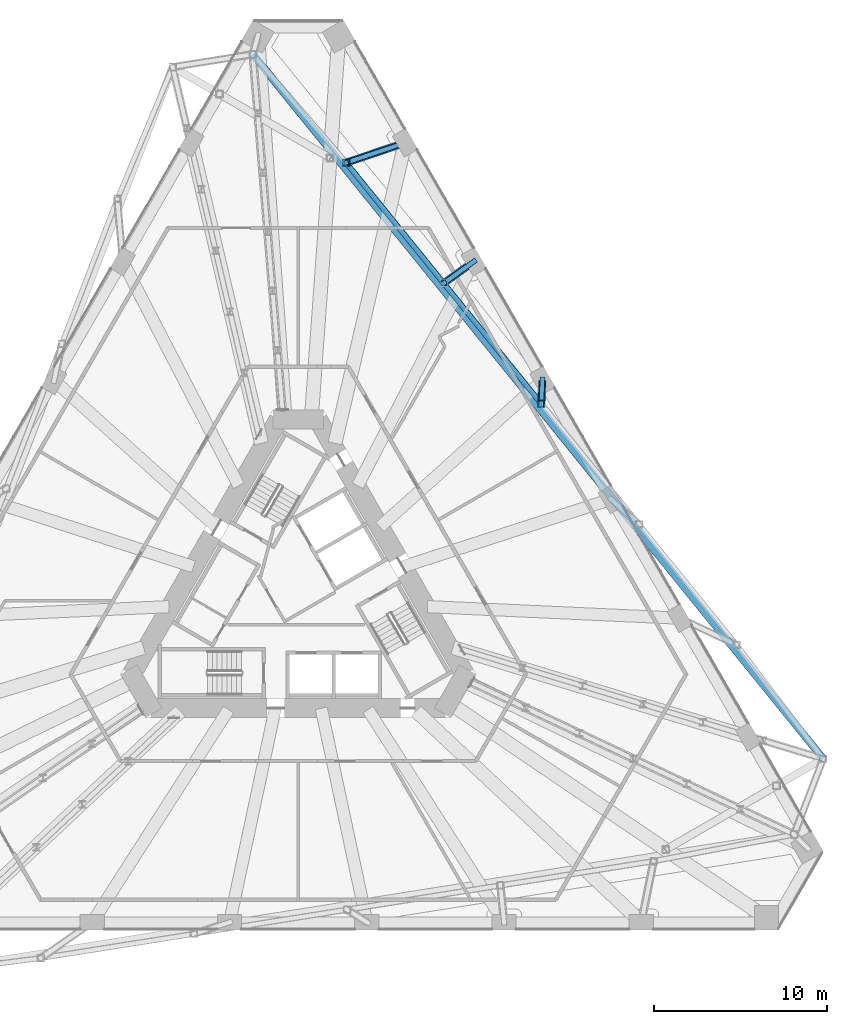
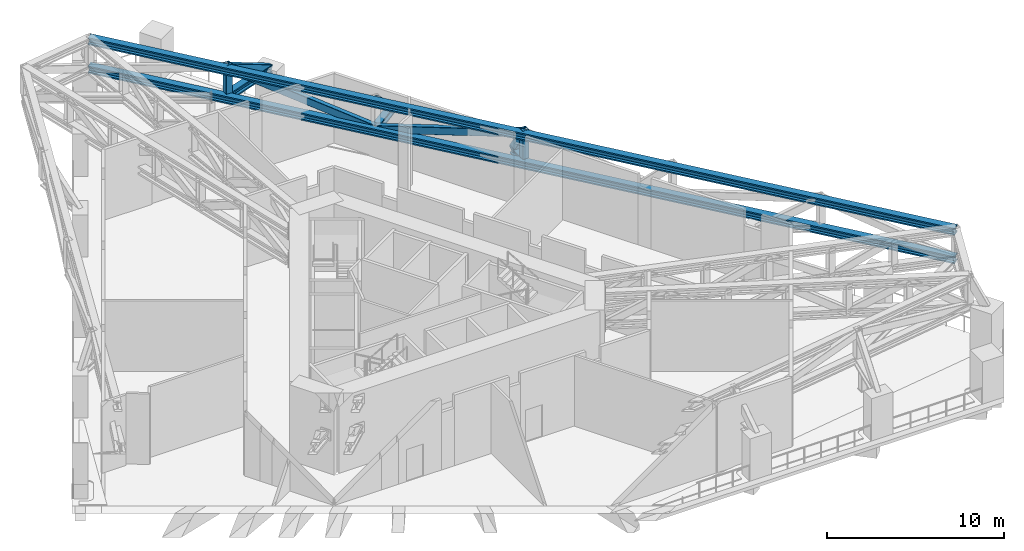
# One storey, part 9 of 20: 12 members.
"""IFC4 building model written with IfcOpenShell, lengths in metres."""

from ifc_helpers import new_model, si_unit, direction, frame, origin, origin_2d, place, context, subcontext, project, spatial, hollow_rectangle, i_section, extrude, material, material_profile, profile_set, type_object, element, save


model = new_model("IFC4")

# Units and contexts
model_context = context("Model", 3, precision=1e-05, world=origin(), true_north=direction((0.0, 1.0)))
body_context = subcontext(model_context, "Body", "Model", "MODEL_VIEW")
ifc_project = project(units=[si_unit("LENGTHUNIT", "METRE"), si_unit("AREAUNIT", "SQUARE_METRE"), si_unit("VOLUMEUNIT", "CUBIC_METRE"), si_unit("PLANEANGLEUNIT", "RADIAN"), si_unit("MASSUNIT", "GRAM", prefix="KILO")], contexts=[model_context])

# Site, building, storey
site_placement = place(None, origin())
site = spatial("IfcSite", under=ifc_project, at=site_placement, CompositionType="ELEMENT")
building_placement = place(site_placement, origin())
building = spatial("IfcBuilding", under=site, at=building_placement, Name="Tramontana Tower", CompositionType="ELEMENT")
storey_placement = place(building_placement, frame((0.0, 0.0, 46.0)))
storey = spatial("IfcBuildingStorey", under=building, at=storey_placement, Name="L09", CompositionType="ELEMENT", Elevation=46.0)

# Members
ifc_material_1 = material(Name="Steel ASTM A500 Grade C", Category="steel")
ifc_material_profile_1 = material_profile(ifc_material_1, hollow_rectangle(XDim=0.406494140625, YDim=0.406494140625, WallThickness=0.0146484375, InnerFilletRadius=0.0146484375, OuterFilletRadius=0.029541015625, at=origin_2d()), Name="HSS16X16X5/8")
ifc_profile_set_1 = profile_set([ifc_material_profile_1], Name="Steel ASTM A500 Grade C")
member_type_1 = type_object("IfcMemberType", Name="Belt truss HSS16X16X5/8 post", PredefinedType="POST", material=ifc_profile_set_1)
for number, where, z_axis, x_axis, name in (
    (1, (14.027587890625, 11.359130859375, 2.8984375), (0.0, 0.0, 1.0), (1.0, 0.0, 0.0), "Belt truss post C1F13"),
    (2, (2.763916015625, 25.2685546875, 2.8984375), (0.0, 0.0, 1.0), (1.0, 0.0, 0.0), "Belt truss post C1F15"),
):
    element("IfcMember", number, at=place(storey_placement, frame(where, z_axis=z_axis, x_axis=x_axis)), inside=storey, type_object=member_type_1, Name=name, PredefinedType="POST", context=body_context, shape_type="SweptSolid", body=[
        extrude(hollow_rectangle(XDim=0.406494140625, YDim=0.406494140625, WallThickness=0.0146484375, InnerFilletRadius=0.0146484375, OuterFilletRadius=0.029541015625, at=origin_2d()), origin(), (0.0, 0.0, 1.0), 1.95166015625),
    ])
ifc_material_2 = material(Name="Steel ASTM A500 Grade C", Category="steel")
ifc_material_profile_2 = material_profile(ifc_material_2, hollow_rectangle(XDim=0.3046875, YDim=0.508056640625, WallThickness=0.0146484375, InnerFilletRadius=0.0146484375, OuterFilletRadius=0.029541015625, at=origin_2d()), Name="HSS20X12X5/8")
ifc_profile_set_2 = profile_set([ifc_material_profile_2], Name="Steel ASTM A500 Grade C")
member_type_2 = type_object("IfcMemberType", Name="Belt truss HSS20X12X5/8 brace", PredefinedType="BRACE", material=ifc_profile_set_2)
for number, where, z_axis, x_axis, name in (
    (3, (14.027587890625, 11.359130859375, 4.600830078125), (-0.614863440209, 0.759303572968, -0.213075183849), (-0.777150201023, -0.629315155586, 0.0), "Belt truss diagonal S2.4"),
    (4, (8.395751953125, 18.31396484375, 2.649169921875), (-0.61487588445, 0.759292285609, 0.213079496284), (-0.777139396429, -0.629328498098, 0.0), "Belt truss diagonal S2.5"),
):
    element("IfcMember", number, at=place(storey_placement, frame(where, z_axis=z_axis, x_axis=x_axis)), inside=storey, type_object=member_type_2, Name=name, PredefinedType="BRACE", context=body_context, shape_type="SweptSolid", body=[
        extrude(hollow_rectangle(XDim=0.3046875, YDim=0.508056640625, WallThickness=0.0146484375, InnerFilletRadius=0.0146484375, OuterFilletRadius=0.029541015625, at=origin_2d()), origin(), (0.0, 0.0, 1.0), 9.159423828125),
    ])
ifc_material_3 = material(Name="Steel ASTM A992 Grade 50", Category="steel")
ifc_material_profile_3 = material_profile(ifc_material_3, i_section(OverallWidth=0.431884765625, OverallDepth=0.49853515625, WebThickness=0.0556640625, FlangeThickness=0.0888671875, FilletRadius=0.01513671875, at=origin_2d()), Name="W14X500")
ifc_profile_set_3 = profile_set([ifc_material_profile_3], Name="Steel ASTM A992 Grade 50")
member_type_3 = type_object("IfcMemberType", Name="Belt truss W14X500 chord", PredefinedType="CHORD", material=ifc_profile_set_3)
for number, where, z_axis, x_axis, name in (
    (5, (30.287841796875, -9.117919921875, 2.649169921875), (-0.629321377465, 0.777145162673, 0.0), (-0.777145162673, -0.629321377465, 0.0), "Belt truss bottom chord S2"),
    (6, (30.287841796875, -9.117919921875, 4.600830078125), (-0.629321377465, 0.777145162673, 0.0), (-0.777145162673, -0.629321377465, 0.0), "Belt truss top chord S2"),
):
    element("IfcMember", number, at=place(storey_placement, frame(where, z_axis=z_axis, x_axis=x_axis)), inside=storey, type_object=member_type_3, Name=name, PredefinedType="CHORD", context=body_context, shape_type="SweptSolid", body=[
        extrude(i_section(OverallWidth=0.431884765625, OverallDepth=0.49853515625, WebThickness=0.0556640625, FlangeThickness=0.0888671875, FilletRadius=0.01513671875, at=origin_2d()), origin(), (0.0, 0.0, 1.0), 52.29345703125),
    ])
ifc_material_4 = material(Name="Steel ASTM A500 Grade C", Category="steel")
ifc_material_profile_4 = material_profile(ifc_material_4, hollow_rectangle(XDim=0.3046875, YDim=0.508056640625, WallThickness=0.0146484375, InnerFilletRadius=0.0146484375, OuterFilletRadius=0.029541015625, at=origin_2d()), Name="HSS20X12X5/8")
ifc_profile_set_4 = profile_set([ifc_material_profile_4], Name="Steel ASTM A500 Grade C")
member_type_4 = type_object("IfcMemberType", Name="Transfer truss HSS20X12X5/8 brace", PredefinedType="BRACE", material=ifc_profile_set_4)
member_1_placement = place(storey_placement, frame((14.085205078125, 12.70361328125, 2.649169921875), z_axis=(-0.02430449482, -0.567139207515, 0.823263269453), x_axis=(0.999083006684, -0.042815251421, 0.0)))
element("IfcMember", 7, at=member_1_placement, inside=storey, type_object=member_type_4, Name="Transfer truss strut C1F13 diagonal", PredefinedType="BRACE", context=body_context, shape_type="SweptSolid", body=[
    extrude(hollow_rectangle(XDim=0.3046875, YDim=0.508056640625, WallThickness=0.0146484375, InnerFilletRadius=0.0146484375, OuterFilletRadius=0.029541015625, at=origin_2d()), origin(), (0.0, 0.0, 1.0), 2.37060546875),
])
member_2_placement = place(storey_placement, frame((10.126220703125, 19.560791015625, 2.649169921875), z_axis=(-0.598564050735, -0.431273505517, 0.675073507558), x_axis=(0.584579097817, -0.811336723189, 0.0)))
element("IfcMember", 8, at=member_2_placement, inside=storey, type_object=member_type_4, Name="Transfer truss strut C1F14 diagonal", PredefinedType="BRACE", context=body_context, shape_type="SweptSolid", body=[
    extrude(hollow_rectangle(XDim=0.3046875, YDim=0.508056640625, WallThickness=0.0146484375, InnerFilletRadius=0.0146484375, OuterFilletRadius=0.029541015625, at=origin_2d()), origin(), (0.0, 0.0, 1.0), 2.89111328125),
])
member_3_placement = place(storey_placement, frame((6.167236328125, 26.41796875, 2.649169921875), z_axis=(-0.832490464204, -0.281159620192, 0.477398046689), x_axis=(0.319976934518, -0.947425332877, 0.0)))
element("IfcMember", 9, at=member_3_placement, inside=storey, type_object=member_type_4, Name="Transfer truss strut C1F15 diagonal", PredefinedType="BRACE", context=body_context, shape_type="SweptSolid", body=[
    extrude(hollow_rectangle(XDim=0.3046875, YDim=0.508056640625, WallThickness=0.0146484375, InnerFilletRadius=0.0146484375, OuterFilletRadius=0.029541015625, at=origin_2d()), origin(), (0.0, 0.0, 1.0), 4.088134765625),
])
ifc_material_5 = material(Name="Steel ASTM A992 Grade 50", Category="steel")
ifc_material_profile_5 = material_profile(ifc_material_5, i_section(OverallWidth=0.431884765625, OverallDepth=0.49853515625, WebThickness=0.0556640625, FlangeThickness=0.0888671875, FilletRadius=0.01513671875, at=origin_2d()), Name="W14X500")
ifc_profile_set_5 = profile_set([ifc_material_profile_5], Name="Steel ASTM A992 Grade 50")
member_type_5 = type_object("IfcMemberType", Name="Transfer truss W14X500 strut", PredefinedType="STRUT", material=ifc_profile_set_5)
member_4_placement = place(storey_placement, frame((14.085205078125, 12.70361328125, 2.649169921875), z_axis=(-0.042815251421, -0.999083006684, 0.0), x_axis=(0.999083006684, -0.042815251421, 0.0)))
element("IfcMember", 10, at=member_4_placement, inside=storey, type_object=member_type_5, Name="Transfer truss strut C1F13 bottom", PredefinedType="STRUT", context=body_context, shape_type="SweptSolid", body=[
    extrude(i_section(OverallWidth=0.431884765625, OverallDepth=0.49853515625, WebThickness=0.0556640625, FlangeThickness=0.0888671875, FilletRadius=0.01513671875, at=origin_2d()), origin(), (0.0, 0.0, 1.0), 1.345703125),
])
member_5_placement = place(storey_placement, frame((10.126220703125, 19.560791015625, 2.649169921875), z_axis=(-0.811336723189, -0.584579097817, 0.0), x_axis=(0.584579097817, -0.811336723189, 0.0)))
element("IfcMember", 11, at=member_5_placement, inside=storey, type_object=member_type_5, Name="Transfer truss strut C1F14 bottom", PredefinedType="STRUT", context=body_context, shape_type="SweptSolid", body=[
    extrude(i_section(OverallWidth=0.431884765625, OverallDepth=0.49853515625, WebThickness=0.0556640625, FlangeThickness=0.0888671875, FilletRadius=0.01513671875, at=origin_2d()), origin(), (0.0, 0.0, 1.0), 2.1328125),
])
member_6_placement = place(storey_placement, frame((6.167236328125, 26.41796875, 2.649169921875), z_axis=(-0.947425332877, -0.319976934518, 0.0), x_axis=(0.319976934518, -0.947425332877, 0.0)))
element("IfcMember", 12, at=member_6_placement, inside=storey, type_object=member_type_5, Name="Transfer truss strut C1F15 bottom", PredefinedType="STRUT", context=body_context, shape_type="SweptSolid", body=[
    extrude(i_section(OverallWidth=0.431884765625, OverallDepth=0.49853515625, WebThickness=0.0556640625, FlangeThickness=0.0888671875, FilletRadius=0.01513671875, at=origin_2d()), origin(), (0.0, 0.0, 1.0), 3.59228515625),
])

save(model, "model.ifc")
